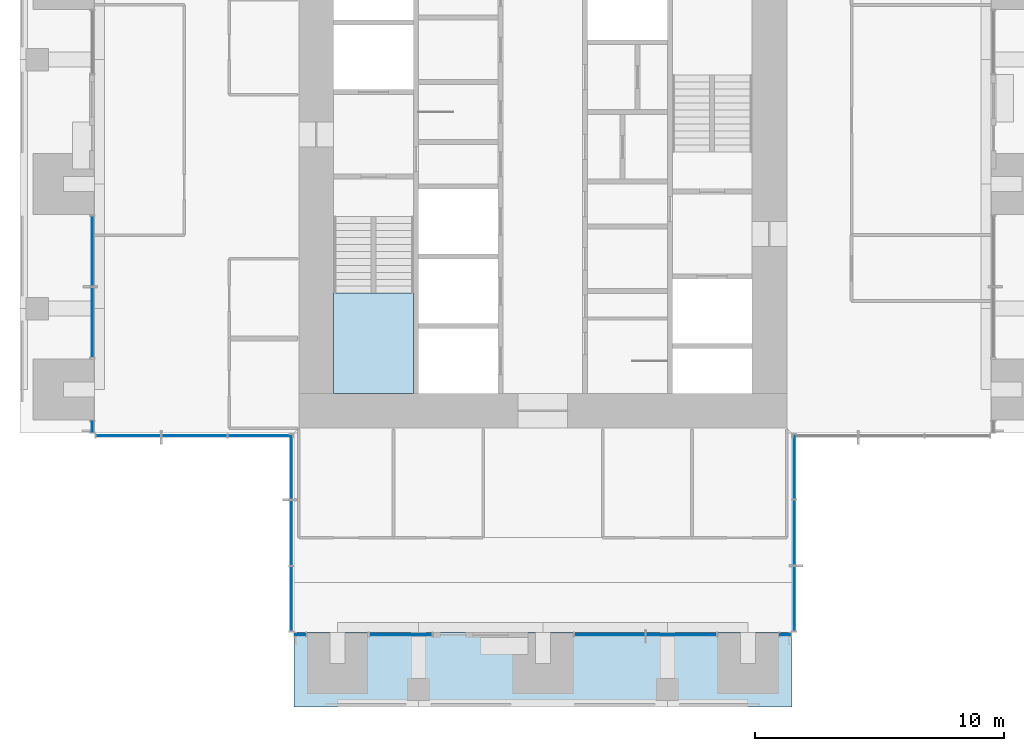
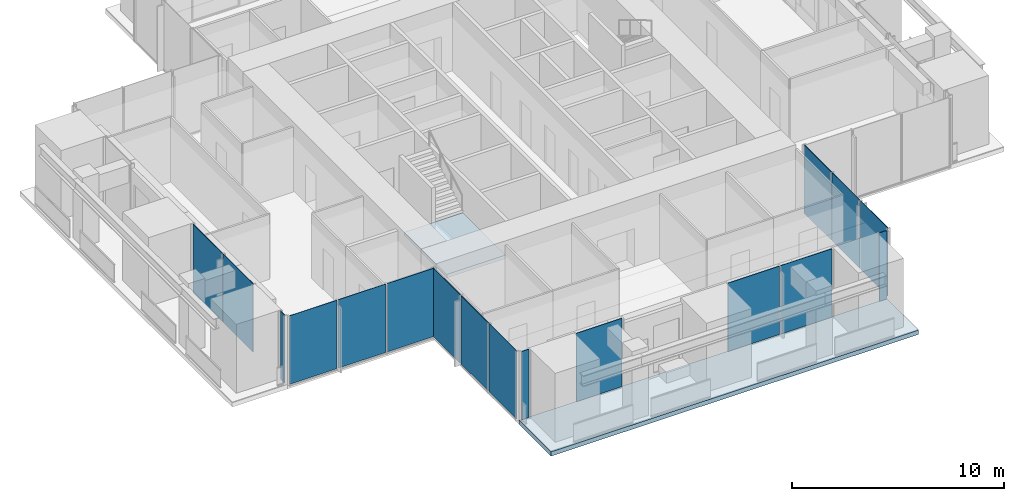
# One storey, part 7 of 17: 17 plates, 2 slabs, 10 elements without a shape of their own.
"""IFC4 building model written with IfcOpenShell, lengths in metres."""

from ifc_helpers import new_model, si_unit, direction, frame, origin, origin_2d, place, context, subcontext, project, spatial, polyline, rectangle, outline, extrude, material, layer, layer_set, type_object, element, aggregate, save


model = new_model("IFC4")

# Units and contexts
model_context = context("Model", 3, precision=1e-05, world=origin(), true_north=direction((0.0, 1.0)))
body_context = subcontext(model_context, "Body", "Model", "MODEL_VIEW")
ifc_project = project(units=[si_unit("LENGTHUNIT", "METRE"), si_unit("AREAUNIT", "SQUARE_METRE"), si_unit("VOLUMEUNIT", "CUBIC_METRE"), si_unit("PLANEANGLEUNIT", "RADIAN"), si_unit("MASSUNIT", "GRAM", prefix="KILO")], contexts=[model_context])

# Site, building, storey
site_placement = place(None, origin())
site = spatial("IfcSite", under=ifc_project, at=site_placement, CompositionType="ELEMENT")
building_placement = place(site_placement, origin())
building = spatial("IfcBuilding", under=site, at=building_placement, Name="Svetlomir Tower", CompositionType="ELEMENT")
storey_placement = place(building_placement, frame((0.0, 0.0, 206.5)))
storey = spatial("IfcBuildingStorey", under=building, at=storey_placement, Name="L49", CompositionType="ELEMENT", Elevation=206.5)

# Curtain wall, plate
ifc_material_1 = material(Name="Bronze anodised aluminium curtain wall", Category="aluminium")
curtain_wall_type = type_object("IfcCurtainWallType", Name="CURTAIN WALL CW1 TOWER OFFICE", PredefinedType="NOTDEFINED", material=ifc_material_1)
curtain_wall_1_placement = place(storey_placement, origin())
curtain_wall_1 = element("IfcCurtainWall", 1, at=curtain_wall_1_placement, inside=storey, type_object=curtain_wall_type, Name="Curtain wall CW1 L49", PredefinedType="NOTDEFINED")
ifc_material_2 = material(Name="Tinted double glazed unit", Category="glass")
ifc_layer_1 = layer(ifc_material_2, 0.031982421875)
ifc_layer_set_1 = layer_set([ifc_layer_1], Name="Tinted double glazed unit")
plate_type = type_object("IfcPlateType", Name="CW1 GLAZED PANEL 32", PredefinedType="CURTAIN_PANEL", material=ifc_layer_set_1)
plate_1_placement = place(storey_placement, frame((11.262451171875, 2.89990234375, 0.06494140625), z_axis=(0.0, 0.0, 1.0), x_axis=(1.0, 0.0, 0.0)))
plate_1 = element("IfcPlate", 2, at=plate_1_placement, type_object=plate_type, Name="CW1 panel 1.1", PredefinedType="CURTAIN_PANEL", context=body_context, shape_type="SweptSolid", body=[
    extrude(rectangle(XDim=0.39501953125, YDim=0.031982421875, at=origin_2d()), origin(), (0.0, 0.0, 1.0), 3.93505859375),
])
aggregate(curtain_wall_1, [plate_1])

curtain_wall_2_placement = place(storey_placement, origin())
curtain_wall_2 = element("IfcCurtainWall", 3, at=curtain_wall_2_placement, inside=storey, type_object=curtain_wall_type, Name="Curtain wall CW1 L49", PredefinedType="NOTDEFINED")
plate_2_placement = place(storey_placement, frame((15.28759765625, 2.89990234375, 0.06494140625), z_axis=(0.0, 0.0, 1.0), x_axis=(1.0, 0.0, 0.0)))
plate_2 = element("IfcPlate", 4, at=plate_2_placement, type_object=plate_type, Name="CW1 panel 1.1", PredefinedType="CURTAIN_PANEL", context=body_context, shape_type="SweptSolid", body=[
    extrude(rectangle(XDim=2.4951171875, YDim=0.031982421875, at=origin_2d()), origin(), (0.0, 0.0, 1.0), 3.93505859375),
])
aggregate(curtain_wall_2, [plate_2])

# Curtain wall, plates
curtain_wall_3_placement = place(storey_placement, origin())
curtain_wall_3 = element("IfcCurtainWall", 5, at=curtain_wall_3_placement, inside=storey, type_object=curtain_wall_type, Name="Curtain wall CW1 L49", PredefinedType="NOTDEFINED")
plate_3_placement = place(storey_placement, frame((23.691162109375, 2.89990234375, 0.06494140625), z_axis=(0.0, 0.0, 1.0), x_axis=(1.0, 0.0, 0.0)))
plate_3 = element("IfcPlate", 6, at=plate_3_placement, type_object=plate_type, Name="CW1 panel 1.1", PredefinedType="CURTAIN_PANEL", context=body_context, shape_type="SweptSolid", body=[
    extrude(rectangle(XDim=2.802490234375, YDim=0.031982421875, at=origin_2d()), origin(), (0.0, 0.0, 1.0), 3.93505859375),
])
plate_4_placement = place(storey_placement, frame((26.558837890625, 2.89990234375, 0.06494140625), z_axis=(0.0, 0.0, 1.0), x_axis=(1.0, 0.0, 0.0)))
plate_4 = element("IfcPlate", 7, at=plate_4_placement, type_object=plate_type, Name="CW1 panel 2.1", PredefinedType="CURTAIN_PANEL", context=body_context, shape_type="SweptSolid", body=[
    extrude(rectangle(XDim=2.802490234375, YDim=0.031982421875, at=origin_2d()), origin(), (0.0, 0.0, 1.0), 3.93505859375),
])
aggregate(curtain_wall_3, [plate_3, plate_4])

# Curtain wall, plate
curtain_wall_4_placement = place(storey_placement, origin())
curtain_wall_4 = element("IfcCurtainWall", 8, at=curtain_wall_4_placement, inside=storey, type_object=curtain_wall_type, Name="Curtain wall CW1 L49", PredefinedType="NOTDEFINED")
plate_5_placement = place(storey_placement, frame((30.737548828125, 2.89990234375, 0.06494140625), z_axis=(0.0, 0.0, 1.0), x_axis=(1.0, 0.0, 0.0)))
plate_5 = element("IfcPlate", 9, at=plate_5_placement, type_object=plate_type, Name="CW1 panel 1.1", PredefinedType="CURTAIN_PANEL", context=body_context, shape_type="SweptSolid", body=[
    extrude(rectangle(XDim=0.39501953125, YDim=0.031982421875, at=origin_2d()), origin(), (0.0, 0.0, 1.0), 3.93505859375),
])
aggregate(curtain_wall_4, [plate_5])

# Curtain wall, plates
curtain_wall_5_placement = place(storey_placement, origin())
curtain_wall_5 = element("IfcCurtainWall", 10, at=curtain_wall_5_placement, inside=storey, type_object=curtain_wall_type, Name="Curtain wall CW1 L49", PredefinedType="NOTDEFINED")
plate_6_placement = place(storey_placement, frame((31.10009765625, 4.349609375, 0.06494140625), z_axis=(0.0, 0.0, 1.0), x_axis=(0.0, 1.0, 0.0)))
plate_6 = element("IfcPlate", 11, at=plate_6_placement, type_object=plate_type, Name="CW1 panel 1.1", PredefinedType="CURTAIN_PANEL", context=body_context, shape_type="SweptSolid", body=[
    extrude(rectangle(XDim=2.569091796875, YDim=0.031982421875, at=origin_2d()), origin(), (0.0, 0.0, 1.0), 3.93505859375),
])
plate_7_placement = place(storey_placement, frame((31.10009765625, 7.0, 0.06494140625), z_axis=(0.0, 0.0, 1.0), x_axis=(0.0, 1.0, 0.0)))
plate_7 = element("IfcPlate", 12, at=plate_7_placement, type_object=plate_type, Name="CW1 panel 2.1", PredefinedType="CURTAIN_PANEL", context=body_context, shape_type="SweptSolid", body=[
    extrude(rectangle(XDim=2.6015625, YDim=0.031982421875, at=origin_2d()), origin(), (0.0, 0.0, 1.0), 3.93505859375),
])
plate_8_placement = place(storey_placement, frame((31.10009765625, 9.650390625, 0.06494140625), z_axis=(0.0, 0.0, 1.0), x_axis=(0.0, 1.0, 0.0)))
plate_8 = element("IfcPlate", 13, at=plate_8_placement, type_object=plate_type, Name="CW1 panel 3.1", PredefinedType="CURTAIN_PANEL", context=body_context, shape_type="SweptSolid", body=[
    extrude(rectangle(XDim=2.569091796875, YDim=0.031982421875, at=origin_2d()), origin(), (0.0, 0.0, 1.0), 3.93505859375),
])
aggregate(curtain_wall_5, [plate_6, plate_7, plate_8])

curtain_wall_6_placement = place(storey_placement, origin())
curtain_wall_6 = element("IfcCurtainWall", 14, at=curtain_wall_6_placement, inside=storey, type_object=curtain_wall_type, Name="Curtain wall CW1 L49", PredefinedType="NOTDEFINED")
plate_9_placement = place(storey_placement, frame((2.89990234375, 18.308837890625, 0.06494140625), z_axis=(0.0, 0.0, 1.0), x_axis=(0.0, -1.0, 0.0)))
plate_9 = element("IfcPlate", 15, at=plate_9_placement, type_object=plate_type, Name="CW1 panel 1.1", PredefinedType="CURTAIN_PANEL", context=body_context, shape_type="SweptSolid", body=[
    extrude(rectangle(XDim=2.802490234375, YDim=0.031982421875, at=origin_2d()), origin(), (0.0, 0.0, 1.0), 3.93505859375),
])
plate_10_placement = place(storey_placement, frame((2.89990234375, 15.441162109375, 0.06494140625), z_axis=(0.0, 0.0, 1.0), x_axis=(0.0, -1.0, 0.0)))
plate_10 = element("IfcPlate", 16, at=plate_10_placement, type_object=plate_type, Name="CW1 panel 2.1", PredefinedType="CURTAIN_PANEL", context=body_context, shape_type="SweptSolid", body=[
    extrude(rectangle(XDim=2.802490234375, YDim=0.031982421875, at=origin_2d()), origin(), (0.0, 0.0, 1.0), 3.93505859375),
])
aggregate(curtain_wall_6, [plate_9, plate_10])

# Curtain wall, plate
curtain_wall_7_placement = place(storey_placement, origin())
curtain_wall_7 = element("IfcCurtainWall", 17, at=curtain_wall_7_placement, inside=storey, type_object=curtain_wall_type, Name="Curtain wall CW1 L49", PredefinedType="NOTDEFINED")
plate_11_placement = place(storey_placement, frame((2.89990234375, 11.262451171875, 0.06494140625), z_axis=(0.0, 0.0, 1.0), x_axis=(0.0, -1.0, 0.0)))
plate_11 = element("IfcPlate", 18, at=plate_11_placement, type_object=plate_type, Name="CW1 panel 1.1", PredefinedType="CURTAIN_PANEL", context=body_context, shape_type="SweptSolid", body=[
    extrude(rectangle(XDim=0.39501953125, YDim=0.031982421875, at=origin_2d()), origin(), (0.0, 0.0, 1.0), 3.93505859375),
])
aggregate(curtain_wall_7, [plate_11])

# Curtain wall, plates
curtain_wall_8_placement = place(storey_placement, origin())
curtain_wall_8 = element("IfcCurtainWall", 19, at=curtain_wall_8_placement, inside=storey, type_object=curtain_wall_type, Name="Curtain wall CW1 L49", PredefinedType="NOTDEFINED")
plate_12_placement = place(storey_placement, frame((4.349609375, 10.89990234375, 0.06494140625), z_axis=(0.0, 0.0, 1.0), x_axis=(1.0, 0.0, 0.0)))
plate_12 = element("IfcPlate", 20, at=plate_12_placement, type_object=plate_type, Name="CW1 panel 1.1", PredefinedType="CURTAIN_PANEL", context=body_context, shape_type="SweptSolid", body=[
    extrude(rectangle(XDim=2.569091796875, YDim=0.031982421875, at=origin_2d()), origin(), (0.0, 0.0, 1.0), 3.93505859375),
])
plate_13_placement = place(storey_placement, frame((7.0, 10.89990234375, 0.06494140625), z_axis=(0.0, 0.0, 1.0), x_axis=(1.0, 0.0, 0.0)))
plate_13 = element("IfcPlate", 21, at=plate_13_placement, type_object=plate_type, Name="CW1 panel 2.1", PredefinedType="CURTAIN_PANEL", context=body_context, shape_type="SweptSolid", body=[
    extrude(rectangle(XDim=2.6015625, YDim=0.031982421875, at=origin_2d()), origin(), (0.0, 0.0, 1.0), 3.93505859375),
])
plate_14_placement = place(storey_placement, frame((9.650390625, 10.89990234375, 0.06494140625), z_axis=(0.0, 0.0, 1.0), x_axis=(1.0, 0.0, 0.0)))
plate_14 = element("IfcPlate", 22, at=plate_14_placement, type_object=plate_type, Name="CW1 panel 3.1", PredefinedType="CURTAIN_PANEL", context=body_context, shape_type="SweptSolid", body=[
    extrude(rectangle(XDim=2.569091796875, YDim=0.031982421875, at=origin_2d()), origin(), (0.0, 0.0, 1.0), 3.93505859375),
])
aggregate(curtain_wall_8, [plate_12, plate_13, plate_14])

curtain_wall_9_placement = place(storey_placement, origin())
curtain_wall_9 = element("IfcCurtainWall", 23, at=curtain_wall_9_placement, inside=storey, type_object=curtain_wall_type, Name="Curtain wall CW1 L49", PredefinedType="NOTDEFINED")
plate_15_placement = place(storey_placement, frame((10.89990234375, 9.650390625, 0.06494140625), z_axis=(0.0, 0.0, 1.0), x_axis=(0.0, -1.0, 0.0)))
plate_15 = element("IfcPlate", 24, at=plate_15_placement, type_object=plate_type, Name="CW1 panel 1.1", PredefinedType="CURTAIN_PANEL", context=body_context, shape_type="SweptSolid", body=[
    extrude(rectangle(XDim=2.569091796875, YDim=0.031982421875, at=origin_2d()), origin(), (0.0, 0.0, 1.0), 3.93505859375),
])
plate_16_placement = place(storey_placement, frame((10.89990234375, 7.0, 0.06494140625), z_axis=(0.0, 0.0, 1.0), x_axis=(0.0, -1.0, 0.0)))
plate_16 = element("IfcPlate", 25, at=plate_16_placement, type_object=plate_type, Name="CW1 panel 2.1", PredefinedType="CURTAIN_PANEL", context=body_context, shape_type="SweptSolid", body=[
    extrude(rectangle(XDim=2.6015625, YDim=0.031982421875, at=origin_2d()), origin(), (0.0, 0.0, 1.0), 3.93505859375),
])
plate_17_placement = place(storey_placement, frame((10.89990234375, 4.349609375, 0.06494140625), z_axis=(0.0, 0.0, 1.0), x_axis=(0.0, -1.0, 0.0)))
plate_17 = element("IfcPlate", 26, at=plate_17_placement, type_object=plate_type, Name="CW1 panel 3.1", PredefinedType="CURTAIN_PANEL", context=body_context, shape_type="SweptSolid", body=[
    extrude(rectangle(XDim=2.569091796875, YDim=0.031982421875, at=origin_2d()), origin(), (0.0, 0.0, 1.0), 3.93505859375),
])
aggregate(curtain_wall_9, [plate_15, plate_16, plate_17])

# Slab
ifc_material_3 = material(Name="Concrete C60/75", Category="concrete")
ifc_layer_2 = layer(ifc_material_3, 0.25)
ifc_layer_set_2 = layer_set([ifc_layer_2], Name="Concrete C60/75")
slab_type_1 = type_object("IfcSlabType", Name="PLANTED LOGGIA SLAB 250", PredefinedType="FLOOR", material=ifc_layer_set_2)
slab_1_placement = place(storey_placement, frame((0.0, 0.0, -0.25)))
element("IfcSlab", 27, at=slab_1_placement, inside=storey, type_object=slab_type_1, Name="L49 S planted loggia", PredefinedType="FLOOR", context=body_context, shape_type="SweptSolid", body=[
    extrude(outline(polyline([(11.0, 0.0), (31.0, 0.0), (31.0, 3.0), (11.0, 3.0), (11.0, 0.0)])), origin(), (0.0, 0.0, 1.0), 0.25),
])

# Stair, slab
ifc_material_4 = material(Name="Concrete C60/75", Category="concrete")
stair_type = type_object("IfcStairType", Name="EXIT STAIR 3200 RISE 4000", PredefinedType="HALF_TURN_STAIR", material=ifc_material_4)
stair_placement = place(storey_placement, origin())
stair = element("IfcStair", 28, at=stair_placement, inside=storey, type_object=stair_type, Name="Stair S1 L49 to L50", PredefinedType="HALF_TURN_STAIR")
ifc_material_5 = material(Name="Concrete C60/75", Category="concrete")
ifc_layer_3 = layer(ifc_material_5, 0.199951171875)
ifc_layer_set_3 = layer_set([ifc_layer_3], Name="Concrete C60/75")
slab_type_2 = type_object("IfcSlabType", Name="STAIR LANDING 200", PredefinedType="LANDING", material=ifc_layer_set_3)
slab_2_placement = place(storey_placement, frame((0.0, 0.0, 1.800048828125)))
slab_2 = element("IfcSlab", 29, at=slab_2_placement, type_object=slab_type_2, Name="S1 landing 1", PredefinedType="LANDING", context=body_context, shape_type="SweptSolid", body=[
    extrude(outline(polyline([(12.60009765625, 12.60009765625), (15.800048828125, 12.60009765625), (15.800048828125, 16.6201171875), (12.60009765625, 16.6201171875), (12.60009765625, 12.60009765625)])), origin(), (0.0, 0.0, 1.0), 0.199951171875),
])
aggregate(stair, [slab_2])

save(model, "model.ifc")
